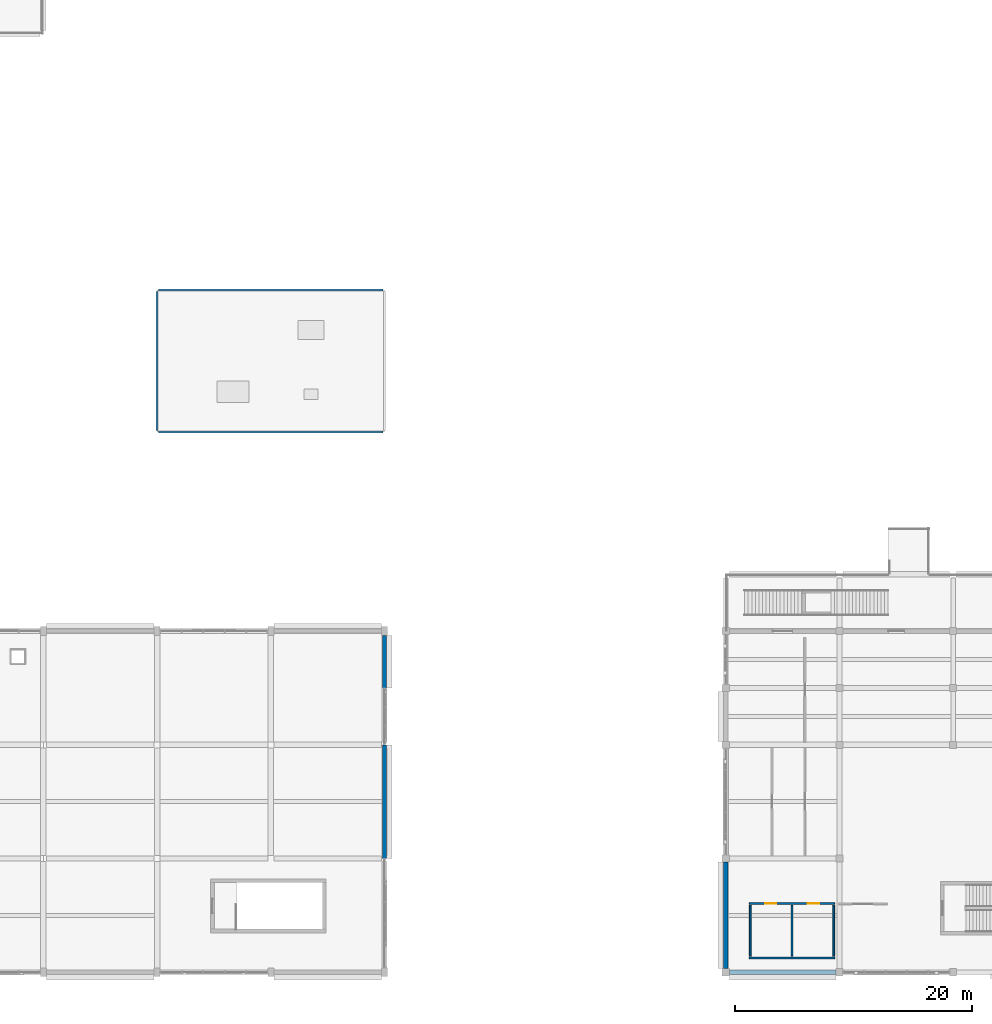
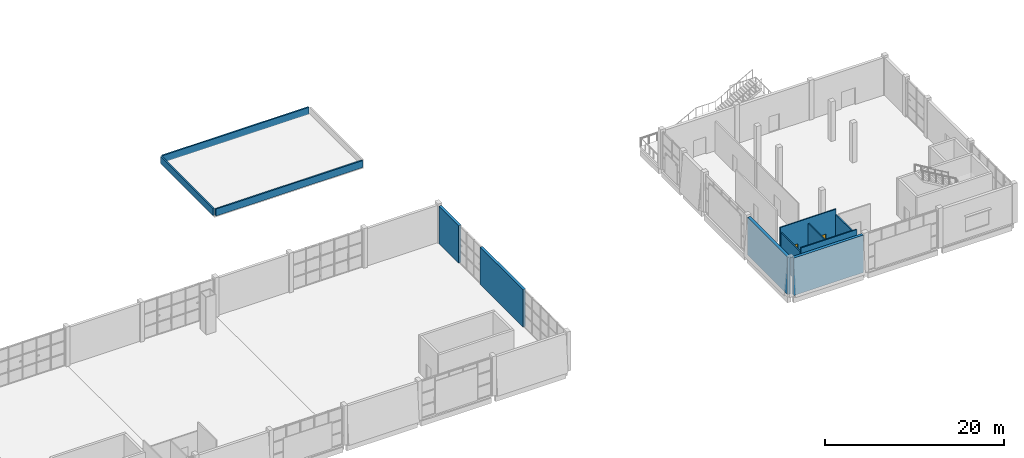
# One storey, part 45 of 72: 12 walls, 2 doors, 2 openings.
"""IFC4 building model written with IfcOpenShell, lengths in metres."""

from ifc_helpers import new_model, si_unit, direction, frame, frame_2d, origin, place, context, subcontext, project, spatial, rectangle, extrude, material, layer, layer_set, type_object, element, fill, save


model = new_model("IFC4")

# Units and contexts
model_context = context("Model", 3, precision=1e-05, world=origin(), true_north=direction((0.0, 1.0)))
body_context = subcontext(model_context, "Body", "Model", "MODEL_VIEW")
ifc_project = project(units=[si_unit("LENGTHUNIT", "METRE"), si_unit("AREAUNIT", "SQUARE_METRE"), si_unit("VOLUMEUNIT", "CUBIC_METRE"), si_unit("PLANEANGLEUNIT", "RADIAN"), si_unit("MASSUNIT", "GRAM", prefix="KILO")], contexts=[model_context])

# Site, building, storey
site_placement = place(None, origin())
site = spatial("IfcSite", under=ifc_project, at=site_placement, CompositionType="ELEMENT")
building_placement = place(site_placement, origin())
building = spatial("IfcBuilding", under=site, at=building_placement, Name="Shalvenor Court Art Gallery", CompositionType="ELEMENT")
storey_placement = place(building_placement, frame((0.0, 0.0, 11.39990234375)))
storey = spatial("IfcBuildingStorey", under=building, at=storey_placement, Name="L02", CompositionType="ELEMENT", Elevation=11.39990234375)

# Walls
ifc_material_1 = material(Name="Concrete C40/50", Category="concrete")
ifc_layer_1 = layer(ifc_material_1, 0.3798828125, Name="Concrete C40/50")
ifc_layer_set_1 = layer_set([ifc_layer_1], Name="Concrete C40/50")
wall_type_1 = type_object("IfcWallType", Name="EW-03", PredefinedType="SOLIDWALL", material=ifc_layer_set_1)
for number, where, z_axis, x_axis, name in (
    (1, (105.300048828125, 0.0, 0.0), (0.0, 0.0, 1.0), (-1.0, 0.0, 0.0), "L02 V3 Exterior Wall WL-L02-0204"),
    (2, (96.0, 0.300048828125, 0.0), (0.0, 0.0, 1.0), (0.0, 1.0, 0.0), "L02 V3 Exterior Wall WL-L02-0205"),
):
    element("IfcWall", number, at=place(storey_placement, frame(where, z_axis=z_axis, x_axis=x_axis)), inside=storey, type_object=wall_type_1, Name=name, PredefinedType="SOLIDWALL", context=body_context, shape_type="SweptSolid", body=[
        extrude(rectangle(XDim=9.0, YDim=0.3798828125, at=frame_2d((4.5, 0.0))), origin(), (0.0, 0.0, 1.0), 5.10009765625),
    ])
ifc_material_2 = material(Name="Concrete C40/50", Category="concrete")
ifc_layer_2 = layer(ifc_material_2, 0.340087890625, Name="Concrete C40/50")
ifc_layer_set_2 = layer_set([ifc_layer_2], Name="Concrete C40/50")
wall_type_2 = type_object("IfcWallType", Name="EW-04", PredefinedType="SOLIDWALL", material=ifc_layer_set_2)
wall_1_placement = place(storey_placement, frame((67.199951171875, 28.425048828125, 0.0), z_axis=(0.0, 0.0, 1.0), x_axis=(0.0, -1.0, 0.0)))
element("IfcWall", 3, at=wall_1_placement, inside=storey, type_object=wall_type_2, Name="L02 V4 Exterior Wall WL-L02-0264", PredefinedType="SOLIDWALL", context=body_context, shape_type="SweptSolid", body=[
    extrude(rectangle(XDim=4.425048828125, YDim=0.340087890625, at=frame_2d((2.21240234375, 0.0))), origin(), (0.0, 0.0, 1.0), 5.10009765625),
])
wall_2_placement = place(storey_placement, frame((67.199951171875, 19.199951171875, 0.0), z_axis=(0.0, 0.0, 1.0), x_axis=(0.0, -1.0, 0.0)))
element("IfcWall", 4, at=wall_2_placement, inside=storey, type_object=wall_type_2, Name="L02 V4 Exterior Wall WL-L02-0265", PredefinedType="SOLIDWALL", context=body_context, shape_type="SweptSolid", body=[
    extrude(rectangle(XDim=9.599853515625, YDim=0.340087890625, at=frame_2d((4.7998046875, 0.0))), origin(), (0.0, 0.0, 1.0), 5.10009765625),
])

# Wall, openings, doors
ifc_material_3 = material(Name="Moisture-resistant sanitary partition", Category="other")
ifc_layer_3 = layer(ifc_material_3, 0.14990234375, Name="Moisture-resistant sanitary partition")
ifc_layer_set_3 = layer_set([ifc_layer_3], Name="Moisture-resistant sanitary partition")
wall_type_3 = type_object("IfcWallType", Name="PT-03", PredefinedType="PARTITIONING", material=ifc_layer_set_3)
wall_3_placement = place(storey_placement, frame((98.0, 5.800048828125, 0.0), z_axis=(0.0, 0.0, 1.0), x_axis=(1.0, 0.0, 0.0)))
wall_3 = element("IfcWall", 5, at=wall_3_placement, inside=storey, type_object=wall_type_3, Name="L02 C4 Restroom Front Partition", PredefinedType="PARTITIONING", context=body_context, shape_type="SweptSolid", body=[
    extrude(rectangle(XDim=7.199951171875, YDim=0.14990234375, at=frame_2d((3.60009765625, 0.0))), origin(), (0.0, 0.0, 1.0), 5.10009765625),
])
opening_1_placement = place(wall_3_placement, frame((1.35009765625, 0.0, 0.0)))
opening_1 = element("IfcOpeningElement", 6, at=opening_1_placement, cuts=wall_3, Name="Opening ID-07", PredefinedType="OPENING", context=body_context, shape_type="SweptSolid", body=[
    extrude(rectangle(XDim=0.89990234375, YDim=2.10009765625, at=frame_2d((0.449951171875, 1.050048828125))), frame((0.0, 0.0849609375, 0.0), z_axis=(0.0, -1.0, 0.0), x_axis=(1.0, 0.0, 0.0)), (0.0, 0.0, 1.0), 0.169921875),
])
opening_2_placement = place(wall_3_placement, frame((4.925048828125, 0.0, 0.0)))
opening_2 = element("IfcOpeningElement", 7, at=opening_2_placement, cuts=wall_3, Name="Opening ID-06", PredefinedType="OPENING", context=body_context, shape_type="SweptSolid", body=[
    extrude(rectangle(XDim=0.949951171875, YDim=2.14990234375, at=frame_2d((0.47509765625, 1.074951171875))), frame((0.0, 0.0849609375, 0.0), z_axis=(0.0, -1.0, 0.0), x_axis=(1.0, 0.0, 0.0)), (0.0, 0.0, 1.0), 0.169921875),
])
ifc_material_4 = material(Name="Accessible restroom doorset", Category="steel")
door_type_1 = type_object("IfcDoorType", Name="ID-06", OperationType="NOTDEFINED", PredefinedType="DOOR", material=ifc_material_4)
door_1_placement = place(opening_2_placement, origin())
door_1 = element("IfcDoor", 8, at=door_1_placement, inside=storey, type_object=door_type_1, Name="DR-AWC-L02-C4-2 L02 C4 Accessible Restroom Door", OperationType="SINGLE_SWING_LEFT", OverallHeight=2.14990234375, OverallWidth=0.949951171875, PredefinedType="DOOR", context=body_context, shape_type="SweptSolid", body=[
    extrude(rectangle(XDim=0.949951171875, YDim=2.14990234375, at=frame_2d((0.47509765625, 1.074951171875))), frame((0.0, 0.02490234375, 0.0), z_axis=(0.0, -1.0, 0.0), x_axis=(1.0, 0.0, 0.0)), (0.0, 0.0, 1.0), 0.050048828125),
])
fill(opening_2, door_1)
ifc_material_5 = material(Name="Restroom timber doorset", Category="wood")
door_type_2 = type_object("IfcDoorType", Name="ID-07", OperationType="NOTDEFINED", PredefinedType="DOOR", material=ifc_material_5)
door_2_placement = place(opening_1_placement, origin())
door_2 = element("IfcDoor", 9, at=door_2_placement, inside=storey, type_object=door_type_2, Name="DR-WC-L02-C4-1 L02 C4 Public Restroom Door", OperationType="SINGLE_SWING_RIGHT", OverallHeight=2.10009765625, OverallWidth=0.89990234375, PredefinedType="DOOR", context=body_context, shape_type="SweptSolid", body=[
    extrude(rectangle(XDim=0.89990234375, YDim=2.10009765625, at=frame_2d((0.449951171875, 1.050048828125))), frame((0.0, 0.02490234375, 0.0), z_axis=(0.0, -1.0, 0.0), x_axis=(1.0, 0.0, 0.0)), (0.0, 0.0, 1.0), 0.050048828125),
])
fill(opening_1, door_2)

# Walls
wall_4_placement = place(storey_placement, frame((98.0, 1.199951171875, 0.0), z_axis=(0.0, 0.0, 1.0), x_axis=(1.0, 0.0, 0.0)))
element("IfcWall", 10, at=wall_4_placement, inside=storey, type_object=wall_type_3, Name="L02 C4 Restroom Back Partition", PredefinedType="PARTITIONING", context=body_context, shape_type="SweptSolid", body=[
    extrude(rectangle(XDim=7.199951171875, YDim=0.14990234375, at=frame_2d((3.60009765625, 0.0))), origin(), (0.0, 0.0, 1.0), 5.10009765625),
])
for number, where, z_axis, x_axis, name in (
    (11, (98.074951171875, 1.360107421875, 0.0), (0.0, 0.0, 1.0), (0.0, 1.0, 0.0), "L02 C4 Restroom Partition L"),
    (12, (101.60009765625, 1.360107421875, 0.0), (0.0, 0.0, 1.0), (0.0, 1.0, 0.0), "L02 C4 Restroom Partition M"),
    (13, (105.125, 1.360107421875, 0.0), (0.0, 0.0, 1.0), (0.0, 1.0, 0.0), "L02 C4 Restroom Partition R"),
):
    element("IfcWall", number, at=place(storey_placement, frame(where, z_axis=z_axis, x_axis=x_axis)), inside=storey, type_object=wall_type_3, Name=name, PredefinedType="PARTITIONING", context=body_context, shape_type="SweptSolid", body=[
        extrude(rectangle(XDim=4.27978515625, YDim=0.14990234375, at=frame_2d((2.139892578125, 0.0))), origin(), (0.0, 0.0, 1.0), 4.47509765625),
    ])
ifc_material_6 = material(Name="Precast concrete C40/50", Category="concrete")
ifc_layer_4 = layer(ifc_material_6, 0.18994140625, Name="Precast concrete C40/50")
ifc_layer_set_4 = layer_set([ifc_layer_4], Name="Precast concrete C40/50")
wall_type_4 = type_object("IfcWallType", Name="PW-02", PredefinedType="PARAPET", material=ifc_layer_set_4)
wall_5_placement = place(storey_placement, frame((67.080078125, 57.60009765625, 0.0), z_axis=(0.0, 0.0, 1.0), x_axis=(-1.0, 0.0, 0.0)))
element("IfcWall", 14, at=wall_5_placement, inside=storey, type_object=wall_type_4, Name="PAR-0344 L02 Roof Parapet", PredefinedType="PARAPET", context=body_context, shape_type="SweptSolid", body=[
    extrude(rectangle(XDim=18.9599609375, YDim=0.18994140625, at=frame_2d((9.47998046875, 0.0))), origin(), (0.0, 0.0, 1.0), 0.9501953125),
])
wall_6_placement = place(storey_placement, frame((48.0, 57.47998046875, 0.0), z_axis=(0.0, 0.0, 1.0), x_axis=(0.0, -1.0, 0.0)))
element("IfcWall", 15, at=wall_6_placement, inside=storey, type_object=wall_type_4, Name="PAR-0345 L02 Roof Parapet", PredefinedType="PARAPET", context=body_context, shape_type="SweptSolid", body=[
    extrude(rectangle(XDim=11.760009765625, YDim=0.18994140625, at=frame_2d((5.8798828125, 0.0))), origin(), (0.0, 0.0, 1.0), 0.9501953125),
])
wall_7_placement = place(storey_placement, frame((48.1201171875, 45.60009765625, 0.0), z_axis=(0.0, 0.0, 1.0), x_axis=(1.0, 0.0, 0.0)))
element("IfcWall", 16, at=wall_7_placement, inside=storey, type_object=wall_type_4, Name="PAR-0346 L02 Roof Parapet", PredefinedType="PARAPET", context=body_context, shape_type="SweptSolid", body=[
    extrude(rectangle(XDim=18.9599609375, YDim=0.18994140625, at=frame_2d((9.47998046875, 0.0))), origin(), (0.0, 0.0, 1.0), 0.9501953125),
])

save(model, "model.ifc")
